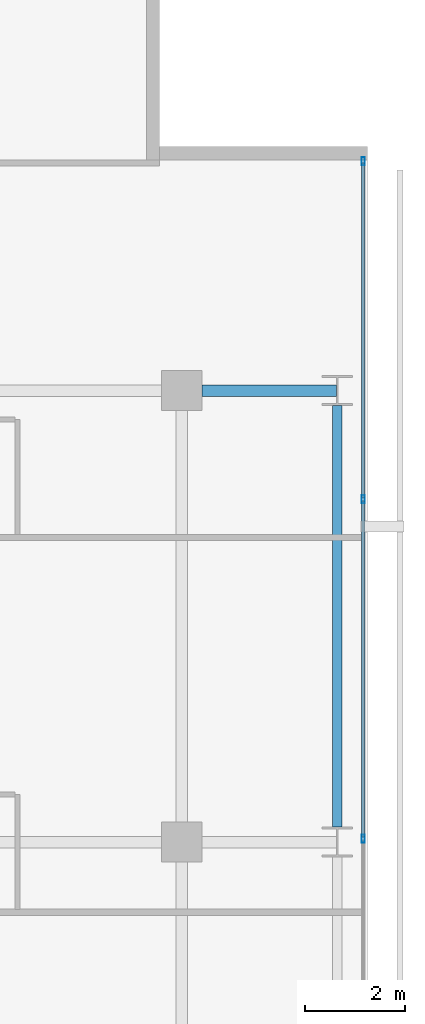
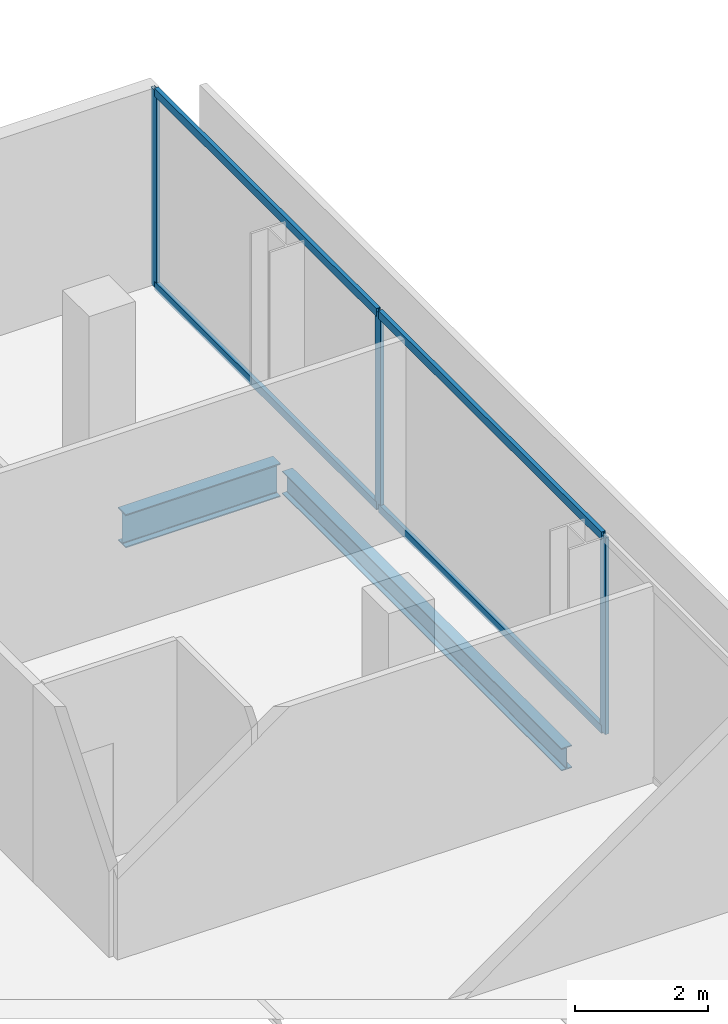
# One storey, part 24 of 33: 7 members, 2 beams, 1 element without a shape of its own.
"""IFC4 building model written with IfcOpenShell, lengths in metres."""

from ifc_helpers import new_model, si_unit, direction, frame, origin, origin_2d, place, context, subcontext, project, spatial, hollow_rectangle, i_section, extrude, material, layer, layer_set, material_profile, profile_set, type_object, element, aggregate, save


model = new_model("IFC4")

# Units and contexts
model_context = context("Model", 3, precision=1e-05, world=origin(), true_north=direction((0.0, 1.0)))
body_context = subcontext(model_context, "Body", "Model", "MODEL_VIEW")
ifc_project = project(units=[si_unit("LENGTHUNIT", "METRE"), si_unit("AREAUNIT", "SQUARE_METRE"), si_unit("VOLUMEUNIT", "CUBIC_METRE"), si_unit("PLANEANGLEUNIT", "RADIAN"), si_unit("MASSUNIT", "GRAM", prefix="KILO")], contexts=[model_context])

# Site, building, storey
site_placement = place(None, origin())
site = spatial("IfcSite", under=ifc_project, at=site_placement, CompositionType="ELEMENT")
building_placement = place(site_placement, origin())
building = spatial("IfcBuilding", under=site, at=building_placement, Name="Maruvema Waterfront Hotel and Observation Tower", CompositionType="ELEMENT")
storey_placement = place(building_placement, frame((0.0, 0.0, 150.5)))
storey = spatial("IfcBuildingStorey", under=building, at=storey_placement, Name="L36", CompositionType="ELEMENT", Elevation=150.5)

# Curtain wall, members
ifc_material_1 = material(Name="Anodised bronze aluminium and solar-control low-E IGU", Category="aluminium")
ifc_layer = layer(ifc_material_1, 0.159912109375, Name="Zone 2 Amber Inner Thermal Curtain Wall System CW-03")
ifc_layer_set = layer_set([ifc_layer], Name="Anodised bronze aluminium and solar-control low-E IGU")
curtain_wall_type = type_object("IfcCurtainWallType", Name="Zone 2 Amber Inner Thermal Curtain Wall System CW-03", PredefinedType="USERDEFINED", material=ifc_layer_set)
curtain_wall_placement = place(storey_placement, origin())
curtain_wall = element("IfcCurtainWall", 1, at=curtain_wall_placement, inside=storey, type_object=curtain_wall_type, Name="L36 Curtain Wall CW-L36-E", ObjectType="UNITISED CURTAIN WALL", PredefinedType="USERDEFINED")
ifc_material_2 = material(Name="Anodised architectural bronze aluminium", Category="aluminium")
ifc_material_profile_1 = material_profile(ifc_material_2, hollow_rectangle(XDim=0.070068359375, YDim=0.14990234375, WallThickness=0.00390625, at=origin_2d()), Name="ALU-T70x150")
ifc_profile_set_1 = profile_set([ifc_material_profile_1], Name="Anodised architectural bronze aluminium")
member_type_1 = type_object("IfcMemberType", Name="Curtain Wall Horizontal Transom ALU-T70x150", PredefinedType="USERDEFINED", material=ifc_profile_set_1)
member_1_placement = place(storey_placement, frame((62.419921875, 36.0966796875, 0.030029296875), z_axis=(0.0, 1.0, 0.0), x_axis=(-1.0, 0.0, 0.0)))
member_1 = element("IfcMember", 2, at=member_1_placement, type_object=member_type_1, Name="CW-03 transom 5.1", ObjectType="TRANSOM", PredefinedType="USERDEFINED", context=body_context, shape_type="SweptSolid", body=[
    extrude(hollow_rectangle(XDim=0.070068359375, YDim=0.14990234375, WallThickness=0.00390625, at=origin_2d()), origin(), (0.0, 0.0, 1.0), 6.70654296875),
])
member_2_placement = place(storey_placement, frame((62.419921875, 36.0966796875, 3.580078125), z_axis=(0.0, 1.0, 0.0), x_axis=(-1.0, 0.0, 0.0)))
member_2 = element("IfcMember", 3, at=member_2_placement, type_object=member_type_1, Name="CW-03 transom 5.2", ObjectType="TRANSOM", PredefinedType="USERDEFINED", context=body_context, shape_type="SweptSolid", body=[
    extrude(hollow_rectangle(XDim=0.070068359375, YDim=0.14990234375, WallThickness=0.00390625, at=origin_2d()), origin(), (0.0, 0.0, 1.0), 6.70654296875),
])
member_3_placement = place(storey_placement, frame((62.419921875, 42.86328125, 0.030029296875), z_axis=(0.0, 1.0, 0.0), x_axis=(-1.0, 0.0, 0.0)))
member_3 = element("IfcMember", 4, at=member_3_placement, type_object=member_type_1, Name="CW-03 transom 6.1", ObjectType="TRANSOM", PredefinedType="USERDEFINED", context=body_context, shape_type="SweptSolid", body=[
    extrude(hollow_rectangle(XDim=0.070068359375, YDim=0.14990234375, WallThickness=0.00390625, at=origin_2d()), origin(), (0.0, 0.0, 1.0), 6.6767578125),
])
member_4_placement = place(storey_placement, frame((62.419921875, 42.86328125, 3.580078125), z_axis=(0.0, 1.0, 0.0), x_axis=(-1.0, 0.0, 0.0)))
member_4 = element("IfcMember", 5, at=member_4_placement, type_object=member_type_1, Name="CW-03 transom 6.2", ObjectType="TRANSOM", PredefinedType="USERDEFINED", context=body_context, shape_type="SweptSolid", body=[
    extrude(hollow_rectangle(XDim=0.070068359375, YDim=0.14990234375, WallThickness=0.00390625, at=origin_2d()), origin(), (0.0, 0.0, 1.0), 6.6767578125),
])
ifc_material_3 = material(Name="Anodised architectural bronze aluminium", Category="aluminium")
ifc_material_profile_2 = material_profile(ifc_material_3, hollow_rectangle(XDim=0.06494140625, YDim=0.1650390625, WallThickness=0.00390625, at=origin_2d()), Name="ALU-M65x165")
ifc_profile_set_2 = profile_set([ifc_material_profile_2], Name="Anodised architectural bronze aluminium")
member_type_2 = type_object("IfcMemberType", Name="Curtain Wall Primary Mullion ALU-M65x165", PredefinedType="MULLION", material=ifc_profile_set_2)
member_5_placement = place(storey_placement, frame((62.419921875, 36.066650390625, 0.0), z_axis=(0.0, 0.0, 1.0), x_axis=(-1.0, 0.0, 0.0)))
member_5 = element("IfcMember", 6, at=member_5_placement, type_object=member_type_2, Name="CW-03 mullion 5", PredefinedType="MULLION", context=body_context, shape_type="SweptSolid", body=[
    extrude(hollow_rectangle(XDim=0.06494140625, YDim=0.1650390625, WallThickness=0.00390625, at=origin_2d()), origin(), (0.0, 0.0, 1.0), 3.610107421875),
])
member_6_placement = place(storey_placement, frame((62.419921875, 42.833251953125, 0.0), z_axis=(0.0, 0.0, 1.0), x_axis=(-1.0, 0.0, 0.0)))
member_6 = element("IfcMember", 7, at=member_6_placement, type_object=member_type_2, Name="CW-03 mullion 6", PredefinedType="MULLION", context=body_context, shape_type="SweptSolid", body=[
    extrude(hollow_rectangle(XDim=0.06494140625, YDim=0.1650390625, WallThickness=0.00390625, at=origin_2d()), origin(), (0.0, 0.0, 1.0), 3.610107421875),
])
member_7_placement = place(storey_placement, frame((62.419921875, 49.570068359375, 0.0), z_axis=(0.0, 0.0, 1.0), x_axis=(-1.0, 0.0, 0.0)))
member_7 = element("IfcMember", 8, at=member_7_placement, type_object=member_type_2, Name="CW-03 mullion 7", PredefinedType="MULLION", context=body_context, shape_type="SweptSolid", body=[
    extrude(hollow_rectangle(XDim=0.06494140625, YDim=0.1650390625, WallThickness=0.00390625, at=origin_2d()), origin(), (0.0, 0.0, 1.0), 3.610107421875),
])
aggregate(curtain_wall, [member_5, member_6, member_7, member_1, member_2, member_3, member_4])

# Beams
ifc_material_4 = material(Name="Steel ASTM A572 Grade 50", Category="steel")
ifc_material_profile_3 = material_profile(ifc_material_4, i_section(OverallWidth=0.180908203125, OverallDepth=0.4169921875, WebThickness=0.010986328125, FlangeThickness=0.018310546875, FilletRadius=0.014892578125, at=origin_2d()), Name="W410x85.0")
ifc_profile_set_3 = profile_set([ifc_material_profile_3], Name="Steel ASTM A572 Grade 50")
beam_type_1 = type_object("IfcBeamType", Name="Perimeter Spandrel Beam W410x85.0", PredefinedType="SPANDREL", material=ifc_profile_set_3)
beam_1_placement = place(storey_placement, frame((61.89990234375, 36.300048828125, -0.448486328125), z_axis=(0.0, 1.0, 0.0), x_axis=(-1.0, 0.0, 0.0)))
element("IfcBeam", 9, at=beam_1_placement, inside=storey, type_object=beam_type_1, Name="L36 Floor Girder NS-32", PredefinedType="SPANDREL", context=body_context, shape_type="SweptSolid", body=[
    extrude(i_section(OverallWidth=0.180908203125, OverallDepth=0.4169921875, WebThickness=0.010986328125, FlangeThickness=0.018310546875, FilletRadius=0.014892578125, at=origin_2d()), origin(), (0.0, 0.0, 1.0), 8.39990234375),
])
ifc_material_5 = material(Name="Steel ASTM A572 Grade 50", Category="steel")
ifc_material_profile_4 = material_profile(ifc_material_5, i_section(OverallWidth=0.22900390625, OverallDepth=0.612060546875, WebThickness=0.011962890625, FlangeThickness=0.01953125, FilletRadius=0.01806640625, at=origin_2d()), Name="W610x125.0")
ifc_profile_set_4 = profile_set([ifc_material_profile_4], Name="Steel ASTM A572 Grade 50")
beam_type_2 = type_object("IfcBeamType", Name="Primary Floor Girder W610x125.0", PredefinedType="BEAM", material=ifc_profile_set_4)
beam_2_placement = place(storey_placement, frame((59.199951171875, 45.0, -0.5458984375), z_axis=(1.0, 0.0, 0.0), x_axis=(0.0, 1.0, 0.0)))
element("IfcBeam", 10, at=beam_2_placement, inside=storey, type_object=beam_type_2, Name="L36 Floor Girder EW-33", PredefinedType="BEAM", context=body_context, shape_type="SweptSolid", body=[
    extrude(i_section(OverallWidth=0.22900390625, OverallDepth=0.612060546875, WebThickness=0.011962890625, FlangeThickness=0.01953125, FilletRadius=0.01806640625, at=origin_2d()), origin(), (0.0, 0.0, 1.0), 2.6875),
])

save(model, "model.ifc")
